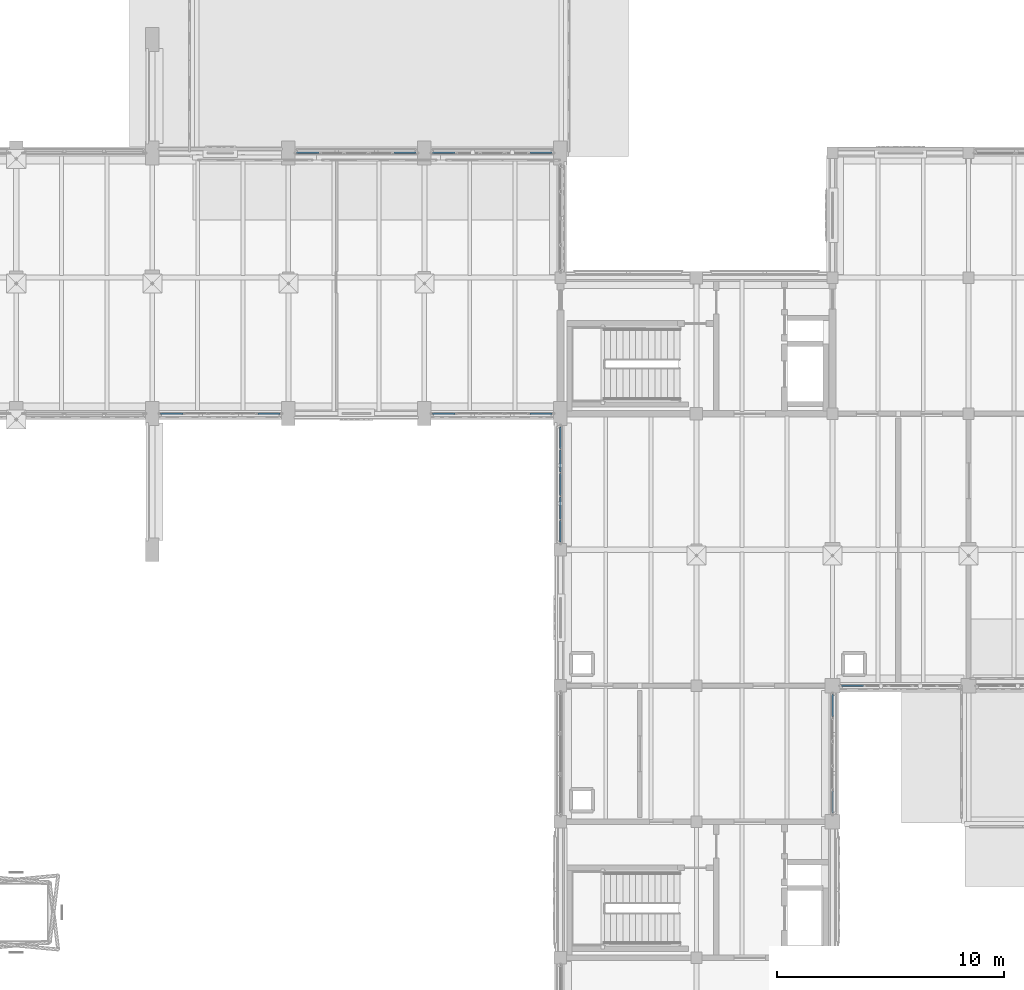
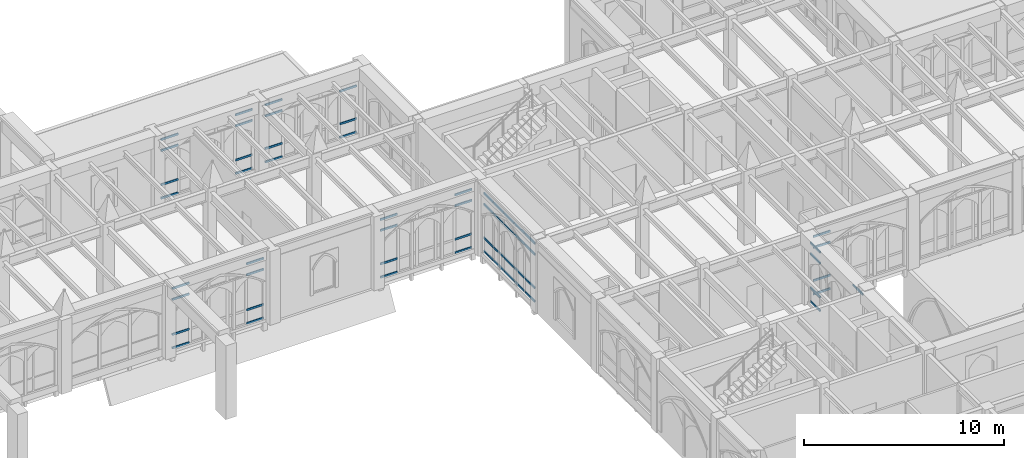
# One storey, part 82 of 143: 60 members, 7 elements without a shape of their own.
"""IFC4 building model written with IfcOpenShell, lengths in metres."""

from ifc_helpers import new_model, si_unit, direction, frame, origin, origin_2d, place, context, subcontext, project, spatial, hollow_rectangle, extrude, material, layer, layer_set, material_profile, profile_set, type_object, element, aggregate, save


model = new_model("IFC4")

# Units and contexts
model_context = context("Model", 3, precision=1e-05, world=origin(), true_north=direction((0.0, 1.0)))
body_context = subcontext(model_context, "Body", "Model", "MODEL_VIEW")
ifc_project = project(units=[si_unit("LENGTHUNIT", "METRE"), si_unit("AREAUNIT", "SQUARE_METRE"), si_unit("VOLUMEUNIT", "CUBIC_METRE"), si_unit("PLANEANGLEUNIT", "RADIAN"), si_unit("MASSUNIT", "GRAM", prefix="KILO")], contexts=[model_context])

# Site, building, storey
site_placement = place(None, origin())
site = spatial("IfcSite", under=ifc_project, at=site_placement, CompositionType="ELEMENT")
building_placement = place(site_placement, origin())
building = spatial("IfcBuilding", under=site, at=building_placement, Name="Cumevento Cable Car Station", CompositionType="ELEMENT")
storey_placement = place(building_placement, frame((0.0, 0.0, 9.0)))
storey = spatial("IfcBuildingStorey", under=building, at=storey_placement, Name="L03", CompositionType="ELEMENT", Elevation=9.0)

# Curtain wall, members
ifc_material_1 = material(Name="Anodised Bronze Aluminium AW-6063-T6", Category="aluminium")
ifc_layer_1 = layer(ifc_material_1, 0.159912109375)
ifc_layer_set_1 = layer_set([ifc_layer_1], Name="Anodised Bronze Aluminium AW-6063-T6")
curtain_wall_type_1 = type_object("IfcCurtainWallType", Name="Lancet Curtain Wall CW-01 1050", PredefinedType="NOTDEFINED", material=ifc_layer_set_1)
curtain_wall_1_placement = place(storey_placement, origin())
curtain_wall_1 = element("IfcCurtainWall", 1, at=curtain_wall_1_placement, inside=storey, type_object=curtain_wall_type_1, Name="Lancet Curtain Wall CW-01 L03 #112", PredefinedType="NOTDEFINED")
ifc_material_2 = material(Name="Anodised Bronze Aluminium AW-6063-T6", Category="aluminium")
ifc_material_profile = material_profile(ifc_material_2, hollow_rectangle(XDim=0.06494140625, YDim=0.1201171875, WallThickness=0.00390625, at=origin_2d()), Name="ALUT65x120x4")
ifc_profile_set = profile_set([ifc_material_profile], Name="Anodised Bronze Aluminium AW-6063-T6")
member_type = type_object("IfcMemberType", Name="Curtain Transom CWT-01 ALUT65x120x4", PredefinedType="USERDEFINED", material=ifc_profile_set)
member_1_placement = place(storey_placement, frame((105.635009765625, 45.0, 0.1923828125), z_axis=(-1.0, 0.0, 0.0), x_axis=(0.0, -1.0, 0.0)))
member_1 = element("IfcMember", 2, at=member_1_placement, type_object=member_type, Name="CW-01 transom 1.1", ObjectType="TRANSOM", PredefinedType="USERDEFINED", context=body_context, shape_type="SweptSolid", body=[
    extrude(hollow_rectangle(XDim=0.06494140625, YDim=0.1201171875, WallThickness=0.00390625, at=origin_2d()), origin(), (0.0, 0.0, 1.0), 0.982421875),
])
member_2_placement = place(storey_placement, frame((105.635009765625, 45.0, 1.010009765625), z_axis=(-1.0, 0.0, 0.0), x_axis=(0.0, -1.0, 0.0)))
member_2 = element("IfcMember", 3, at=member_2_placement, type_object=member_type, Name="CW-01 transom 1.2", ObjectType="TRANSOM", PredefinedType="USERDEFINED", context=body_context, shape_type="SweptSolid", body=[
    extrude(hollow_rectangle(XDim=0.06494140625, YDim=0.1201171875, WallThickness=0.00390625, at=origin_2d()), origin(), (0.0, 0.0, 1.0), 0.982421875),
])
member_3_placement = place(storey_placement, frame((105.635009765625, 45.0, 3.14501953125), z_axis=(-1.0, 0.0, 0.0), x_axis=(0.0, -1.0, 0.0)))
member_3 = element("IfcMember", 4, at=member_3_placement, type_object=member_type, Name="CW-01 transom 1.3", ObjectType="TRANSOM", PredefinedType="USERDEFINED", context=body_context, shape_type="SweptSolid", body=[
    extrude(hollow_rectangle(XDim=0.06494140625, YDim=0.1201171875, WallThickness=0.00390625, at=origin_2d()), origin(), (0.0, 0.0, 1.0), 0.982421875),
])
member_4_placement = place(storey_placement, frame((105.635009765625, 45.0, 3.8125), z_axis=(-1.0, 0.0, 0.0), x_axis=(0.0, -1.0, 0.0)))
member_4 = element("IfcMember", 5, at=member_4_placement, type_object=member_type, Name="CW-01 transom 1.4", ObjectType="TRANSOM", PredefinedType="USERDEFINED", context=body_context, shape_type="SweptSolid", body=[
    extrude(hollow_rectangle(XDim=0.06494140625, YDim=0.1201171875, WallThickness=0.00390625, at=origin_2d()), origin(), (0.0, 0.0, 1.0), 0.982421875),
])
member_5_placement = place(storey_placement, frame((101.347412109375, 45.0, 0.1923828125), z_axis=(-1.0, 0.0, 0.0), x_axis=(0.0, -1.0, 0.0)))
member_5 = element("IfcMember", 6, at=member_5_placement, type_object=member_type, Name="CW-01 transom 5.1", ObjectType="TRANSOM", PredefinedType="USERDEFINED", context=body_context, shape_type="SweptSolid", body=[
    extrude(hollow_rectangle(XDim=0.06494140625, YDim=0.1201171875, WallThickness=0.00390625, at=origin_2d()), origin(), (0.0, 0.0, 1.0), 0.982421875),
])
member_6_placement = place(storey_placement, frame((101.347412109375, 45.0, 1.010009765625), z_axis=(-1.0, 0.0, 0.0), x_axis=(0.0, -1.0, 0.0)))
member_6 = element("IfcMember", 7, at=member_6_placement, type_object=member_type, Name="CW-01 transom 5.2", ObjectType="TRANSOM", PredefinedType="USERDEFINED", context=body_context, shape_type="SweptSolid", body=[
    extrude(hollow_rectangle(XDim=0.06494140625, YDim=0.1201171875, WallThickness=0.00390625, at=origin_2d()), origin(), (0.0, 0.0, 1.0), 0.982421875),
])
member_7_placement = place(storey_placement, frame((101.347412109375, 45.0, 3.14501953125), z_axis=(-1.0, 0.0, 0.0), x_axis=(0.0, -1.0, 0.0)))
member_7 = element("IfcMember", 8, at=member_7_placement, type_object=member_type, Name="CW-01 transom 5.3", ObjectType="TRANSOM", PredefinedType="USERDEFINED", context=body_context, shape_type="SweptSolid", body=[
    extrude(hollow_rectangle(XDim=0.06494140625, YDim=0.1201171875, WallThickness=0.00390625, at=origin_2d()), origin(), (0.0, 0.0, 1.0), 0.982421875),
])
member_8_placement = place(storey_placement, frame((101.347412109375, 45.0, 3.8125), z_axis=(-1.0, 0.0, 0.0), x_axis=(0.0, -1.0, 0.0)))
member_8 = element("IfcMember", 9, at=member_8_placement, type_object=member_type, Name="CW-01 transom 5.4", ObjectType="TRANSOM", PredefinedType="USERDEFINED", context=body_context, shape_type="SweptSolid", body=[
    extrude(hollow_rectangle(XDim=0.06494140625, YDim=0.1201171875, WallThickness=0.00390625, at=origin_2d()), origin(), (0.0, 0.0, 1.0), 0.982421875),
])
aggregate(curtain_wall_1, [member_1, member_2, member_3, member_4, member_5, member_6, member_7, member_8])

ifc_material_3 = material(Name="Anodised Bronze Aluminium AW-6063-T6", Category="aluminium")
ifc_layer_2 = layer(ifc_material_3, 0.166015625)
ifc_layer_set_2 = layer_set([ifc_layer_2], Name="Anodised Bronze Aluminium AW-6063-T6")
curtain_wall_type_2 = type_object("IfcCurtainWallType", Name="Lancet Curtain Wall CW-02 1090", PredefinedType="NOTDEFINED", material=ifc_layer_set_2)
curtain_wall_2_placement = place(storey_placement, origin())
curtain_wall_2 = element("IfcCurtainWall", 10, at=curtain_wall_2_placement, inside=storey, type_object=curtain_wall_type_2, Name="Lancet Curtain Wall CW-02 L03 #113", PredefinedType="NOTDEFINED")
member_9_placement = place(storey_placement, frame((106.364990234375, 56.5, 0.242431640625), z_axis=(1.0, 0.0, 0.0), x_axis=(0.0, 1.0, 0.0)))
member_9 = element("IfcMember", 11, at=member_9_placement, type_object=member_type, Name="CW-02 transom 1.1", ObjectType="TRANSOM", PredefinedType="USERDEFINED", context=body_context, shape_type="SweptSolid", body=[
    extrude(hollow_rectangle(XDim=0.06494140625, YDim=0.1201171875, WallThickness=0.00390625, at=origin_2d()), origin(), (0.0, 0.0, 1.0), 0.982421875),
])
member_10_placement = place(storey_placement, frame((106.364990234375, 56.5, 1.06005859375), z_axis=(1.0, 0.0, 0.0), x_axis=(0.0, 1.0, 0.0)))
member_10 = element("IfcMember", 12, at=member_10_placement, type_object=member_type, Name="CW-02 transom 1.2", ObjectType="TRANSOM", PredefinedType="USERDEFINED", context=body_context, shape_type="SweptSolid", body=[
    extrude(hollow_rectangle(XDim=0.06494140625, YDim=0.1201171875, WallThickness=0.00390625, at=origin_2d()), origin(), (0.0, 0.0, 1.0), 0.982421875),
])
member_11_placement = place(storey_placement, frame((106.364990234375, 56.5, 3.14501953125), z_axis=(1.0, 0.0, 0.0), x_axis=(0.0, 1.0, 0.0)))
member_11 = element("IfcMember", 13, at=member_11_placement, type_object=member_type, Name="CW-02 transom 1.3", ObjectType="TRANSOM", PredefinedType="USERDEFINED", context=body_context, shape_type="SweptSolid", body=[
    extrude(hollow_rectangle(XDim=0.06494140625, YDim=0.1201171875, WallThickness=0.00390625, at=origin_2d()), origin(), (0.0, 0.0, 1.0), 0.982421875),
])
member_12_placement = place(storey_placement, frame((106.364990234375, 56.5, 3.8125), z_axis=(1.0, 0.0, 0.0), x_axis=(0.0, 1.0, 0.0)))
member_12 = element("IfcMember", 14, at=member_12_placement, type_object=member_type, Name="CW-02 transom 1.4", ObjectType="TRANSOM", PredefinedType="USERDEFINED", context=body_context, shape_type="SweptSolid", body=[
    extrude(hollow_rectangle(XDim=0.06494140625, YDim=0.1201171875, WallThickness=0.00390625, at=origin_2d()), origin(), (0.0, 0.0, 1.0), 0.982421875),
])
member_13_placement = place(storey_placement, frame((110.652587890625, 56.5, 0.242431640625), z_axis=(1.0, 0.0, 0.0), x_axis=(0.0, 1.0, 0.0)))
member_13 = element("IfcMember", 15, at=member_13_placement, type_object=member_type, Name="CW-02 transom 5.1", ObjectType="TRANSOM", PredefinedType="USERDEFINED", context=body_context, shape_type="SweptSolid", body=[
    extrude(hollow_rectangle(XDim=0.06494140625, YDim=0.1201171875, WallThickness=0.00390625, at=origin_2d()), origin(), (0.0, 0.0, 1.0), 0.982421875),
])
member_14_placement = place(storey_placement, frame((110.652587890625, 56.5, 1.06005859375), z_axis=(1.0, 0.0, 0.0), x_axis=(0.0, 1.0, 0.0)))
member_14 = element("IfcMember", 16, at=member_14_placement, type_object=member_type, Name="CW-02 transom 5.2", ObjectType="TRANSOM", PredefinedType="USERDEFINED", context=body_context, shape_type="SweptSolid", body=[
    extrude(hollow_rectangle(XDim=0.06494140625, YDim=0.1201171875, WallThickness=0.00390625, at=origin_2d()), origin(), (0.0, 0.0, 1.0), 0.982421875),
])
member_15_placement = place(storey_placement, frame((110.652587890625, 56.5, 3.14501953125), z_axis=(1.0, 0.0, 0.0), x_axis=(0.0, 1.0, 0.0)))
member_15 = element("IfcMember", 17, at=member_15_placement, type_object=member_type, Name="CW-02 transom 5.3", ObjectType="TRANSOM", PredefinedType="USERDEFINED", context=body_context, shape_type="SweptSolid", body=[
    extrude(hollow_rectangle(XDim=0.06494140625, YDim=0.1201171875, WallThickness=0.00390625, at=origin_2d()), origin(), (0.0, 0.0, 1.0), 0.982421875),
])
member_16_placement = place(storey_placement, frame((110.652587890625, 56.5, 3.8125), z_axis=(1.0, 0.0, 0.0), x_axis=(0.0, 1.0, 0.0)))
member_16 = element("IfcMember", 18, at=member_16_placement, type_object=member_type, Name="CW-02 transom 5.4", ObjectType="TRANSOM", PredefinedType="USERDEFINED", context=body_context, shape_type="SweptSolid", body=[
    extrude(hollow_rectangle(XDim=0.06494140625, YDim=0.1201171875, WallThickness=0.00390625, at=origin_2d()), origin(), (0.0, 0.0, 1.0), 0.982421875),
])
aggregate(curtain_wall_2, [member_9, member_10, member_11, member_12, member_13, member_14, member_15, member_16])

ifc_material_4 = material(Name="Anodised Bronze Aluminium AW-6063-T6", Category="aluminium")
ifc_layer_3 = layer(ifc_material_4, 0.172119140625)
ifc_layer_set_3 = layer_set([ifc_layer_3], Name="Anodised Bronze Aluminium AW-6063-T6")
curtain_wall_type_3 = type_object("IfcCurtainWallType", Name="Lancet Curtain Wall CW-03 1130", PredefinedType="NOTDEFINED", material=ifc_layer_set_3)
curtain_wall_3_placement = place(storey_placement, origin())
curtain_wall_3 = element("IfcCurtainWall", 19, at=curtain_wall_3_placement, inside=storey, type_object=curtain_wall_type_3, Name="Lancet Curtain Wall CW-03 L03 #114", PredefinedType="NOTDEFINED")
member_17_placement = place(storey_placement, frame((117.635009765625, 45.0, 0.29248046875), z_axis=(-1.0, 0.0, 0.0), x_axis=(0.0, -1.0, 0.0)))
member_17 = element("IfcMember", 20, at=member_17_placement, type_object=member_type, Name="CW-03 transom 1.1", ObjectType="TRANSOM", PredefinedType="USERDEFINED", context=body_context, shape_type="SweptSolid", body=[
    extrude(hollow_rectangle(XDim=0.06494140625, YDim=0.1201171875, WallThickness=0.00390625, at=origin_2d()), origin(), (0.0, 0.0, 1.0), 0.982421875),
])
member_18_placement = place(storey_placement, frame((117.635009765625, 45.0, 1.110107421875), z_axis=(-1.0, 0.0, 0.0), x_axis=(0.0, -1.0, 0.0)))
member_18 = element("IfcMember", 21, at=member_18_placement, type_object=member_type, Name="CW-03 transom 1.2", ObjectType="TRANSOM", PredefinedType="USERDEFINED", context=body_context, shape_type="SweptSolid", body=[
    extrude(hollow_rectangle(XDim=0.06494140625, YDim=0.1201171875, WallThickness=0.00390625, at=origin_2d()), origin(), (0.0, 0.0, 1.0), 0.982421875),
])
member_19_placement = place(storey_placement, frame((117.635009765625, 45.0, 3.14501953125), z_axis=(-1.0, 0.0, 0.0), x_axis=(0.0, -1.0, 0.0)))
member_19 = element("IfcMember", 22, at=member_19_placement, type_object=member_type, Name="CW-03 transom 1.3", ObjectType="TRANSOM", PredefinedType="USERDEFINED", context=body_context, shape_type="SweptSolid", body=[
    extrude(hollow_rectangle(XDim=0.06494140625, YDim=0.1201171875, WallThickness=0.00390625, at=origin_2d()), origin(), (0.0, 0.0, 1.0), 0.982421875),
])
member_20_placement = place(storey_placement, frame((117.635009765625, 45.0, 3.8125), z_axis=(-1.0, 0.0, 0.0), x_axis=(0.0, -1.0, 0.0)))
member_20 = element("IfcMember", 23, at=member_20_placement, type_object=member_type, Name="CW-03 transom 1.4", ObjectType="TRANSOM", PredefinedType="USERDEFINED", context=body_context, shape_type="SweptSolid", body=[
    extrude(hollow_rectangle(XDim=0.06494140625, YDim=0.1201171875, WallThickness=0.00390625, at=origin_2d()), origin(), (0.0, 0.0, 1.0), 0.982421875),
])
member_21_placement = place(storey_placement, frame((113.347412109375, 45.0, 0.29248046875), z_axis=(-1.0, 0.0, 0.0), x_axis=(0.0, -1.0, 0.0)))
member_21 = element("IfcMember", 24, at=member_21_placement, type_object=member_type, Name="CW-03 transom 5.1", ObjectType="TRANSOM", PredefinedType="USERDEFINED", context=body_context, shape_type="SweptSolid", body=[
    extrude(hollow_rectangle(XDim=0.06494140625, YDim=0.1201171875, WallThickness=0.00390625, at=origin_2d()), origin(), (0.0, 0.0, 1.0), 0.982421875),
])
member_22_placement = place(storey_placement, frame((113.347412109375, 45.0, 1.110107421875), z_axis=(-1.0, 0.0, 0.0), x_axis=(0.0, -1.0, 0.0)))
member_22 = element("IfcMember", 25, at=member_22_placement, type_object=member_type, Name="CW-03 transom 5.2", ObjectType="TRANSOM", PredefinedType="USERDEFINED", context=body_context, shape_type="SweptSolid", body=[
    extrude(hollow_rectangle(XDim=0.06494140625, YDim=0.1201171875, WallThickness=0.00390625, at=origin_2d()), origin(), (0.0, 0.0, 1.0), 0.982421875),
])
member_23_placement = place(storey_placement, frame((113.347412109375, 45.0, 3.14501953125), z_axis=(-1.0, 0.0, 0.0), x_axis=(0.0, -1.0, 0.0)))
member_23 = element("IfcMember", 26, at=member_23_placement, type_object=member_type, Name="CW-03 transom 5.3", ObjectType="TRANSOM", PredefinedType="USERDEFINED", context=body_context, shape_type="SweptSolid", body=[
    extrude(hollow_rectangle(XDim=0.06494140625, YDim=0.1201171875, WallThickness=0.00390625, at=origin_2d()), origin(), (0.0, 0.0, 1.0), 0.982421875),
])
member_24_placement = place(storey_placement, frame((113.347412109375, 45.0, 3.8125), z_axis=(-1.0, 0.0, 0.0), x_axis=(0.0, -1.0, 0.0)))
member_24 = element("IfcMember", 27, at=member_24_placement, type_object=member_type, Name="CW-03 transom 5.4", ObjectType="TRANSOM", PredefinedType="USERDEFINED", context=body_context, shape_type="SweptSolid", body=[
    extrude(hollow_rectangle(XDim=0.06494140625, YDim=0.1201171875, WallThickness=0.00390625, at=origin_2d()), origin(), (0.0, 0.0, 1.0), 0.982421875),
])
aggregate(curtain_wall_3, [member_17, member_18, member_19, member_20, member_21, member_22, member_23, member_24])

ifc_material_5 = material(Name="Anodised Bronze Aluminium AW-6063-T6", Category="aluminium")
ifc_layer_4 = layer(ifc_material_5, 0.177978515625)
ifc_layer_set_4 = layer_set([ifc_layer_4], Name="Anodised Bronze Aluminium AW-6063-T6")
curtain_wall_type_4 = type_object("IfcCurtainWallType", Name="Lancet Curtain Wall CW-04 1170", PredefinedType="NOTDEFINED", material=ifc_layer_set_4)
curtain_wall_4_placement = place(storey_placement, origin())
curtain_wall_4 = element("IfcCurtainWall", 28, at=curtain_wall_4_placement, inside=storey, type_object=curtain_wall_type_4, Name="Lancet Curtain Wall CW-04 L03 #115", PredefinedType="NOTDEFINED")
member_25_placement = place(storey_placement, frame((112.364990234375, 56.5, 0.342529296875), z_axis=(1.0, 0.0, 0.0), x_axis=(0.0, 1.0, 0.0)))
member_25 = element("IfcMember", 29, at=member_25_placement, type_object=member_type, Name="CW-04 transom 1.1", ObjectType="TRANSOM", PredefinedType="USERDEFINED", context=body_context, shape_type="SweptSolid", body=[
    extrude(hollow_rectangle(XDim=0.06494140625, YDim=0.1201171875, WallThickness=0.00390625, at=origin_2d()), origin(), (0.0, 0.0, 1.0), 0.982421875),
])
member_26_placement = place(storey_placement, frame((112.364990234375, 56.5, 1.159912109375), z_axis=(1.0, 0.0, 0.0), x_axis=(0.0, 1.0, 0.0)))
member_26 = element("IfcMember", 30, at=member_26_placement, type_object=member_type, Name="CW-04 transom 1.2", ObjectType="TRANSOM", PredefinedType="USERDEFINED", context=body_context, shape_type="SweptSolid", body=[
    extrude(hollow_rectangle(XDim=0.06494140625, YDim=0.1201171875, WallThickness=0.00390625, at=origin_2d()), origin(), (0.0, 0.0, 1.0), 0.982421875),
])
member_27_placement = place(storey_placement, frame((112.364990234375, 56.5, 3.14501953125), z_axis=(1.0, 0.0, 0.0), x_axis=(0.0, 1.0, 0.0)))
member_27 = element("IfcMember", 31, at=member_27_placement, type_object=member_type, Name="CW-04 transom 1.3", ObjectType="TRANSOM", PredefinedType="USERDEFINED", context=body_context, shape_type="SweptSolid", body=[
    extrude(hollow_rectangle(XDim=0.06494140625, YDim=0.1201171875, WallThickness=0.00390625, at=origin_2d()), origin(), (0.0, 0.0, 1.0), 0.982421875),
])
member_28_placement = place(storey_placement, frame((112.364990234375, 56.5, 3.8125), z_axis=(1.0, 0.0, 0.0), x_axis=(0.0, 1.0, 0.0)))
member_28 = element("IfcMember", 32, at=member_28_placement, type_object=member_type, Name="CW-04 transom 1.4", ObjectType="TRANSOM", PredefinedType="USERDEFINED", context=body_context, shape_type="SweptSolid", body=[
    extrude(hollow_rectangle(XDim=0.06494140625, YDim=0.1201171875, WallThickness=0.00390625, at=origin_2d()), origin(), (0.0, 0.0, 1.0), 0.982421875),
])
member_29_placement = place(storey_placement, frame((116.652587890625, 56.5, 0.342529296875), z_axis=(1.0, 0.0, 0.0), x_axis=(0.0, 1.0, 0.0)))
member_29 = element("IfcMember", 33, at=member_29_placement, type_object=member_type, Name="CW-04 transom 5.1", ObjectType="TRANSOM", PredefinedType="USERDEFINED", context=body_context, shape_type="SweptSolid", body=[
    extrude(hollow_rectangle(XDim=0.06494140625, YDim=0.1201171875, WallThickness=0.00390625, at=origin_2d()), origin(), (0.0, 0.0, 1.0), 0.982421875),
])
member_30_placement = place(storey_placement, frame((116.652587890625, 56.5, 1.159912109375), z_axis=(1.0, 0.0, 0.0), x_axis=(0.0, 1.0, 0.0)))
member_30 = element("IfcMember", 34, at=member_30_placement, type_object=member_type, Name="CW-04 transom 5.2", ObjectType="TRANSOM", PredefinedType="USERDEFINED", context=body_context, shape_type="SweptSolid", body=[
    extrude(hollow_rectangle(XDim=0.06494140625, YDim=0.1201171875, WallThickness=0.00390625, at=origin_2d()), origin(), (0.0, 0.0, 1.0), 0.982421875),
])
member_31_placement = place(storey_placement, frame((116.652587890625, 56.5, 3.14501953125), z_axis=(1.0, 0.0, 0.0), x_axis=(0.0, 1.0, 0.0)))
member_31 = element("IfcMember", 35, at=member_31_placement, type_object=member_type, Name="CW-04 transom 5.3", ObjectType="TRANSOM", PredefinedType="USERDEFINED", context=body_context, shape_type="SweptSolid", body=[
    extrude(hollow_rectangle(XDim=0.06494140625, YDim=0.1201171875, WallThickness=0.00390625, at=origin_2d()), origin(), (0.0, 0.0, 1.0), 0.982421875),
])
aggregate(curtain_wall_4, [member_25, member_26, member_27, member_28, member_29, member_30, member_31])

curtain_wall_5_placement = place(storey_placement, origin())
curtain_wall_5 = element("IfcCurtainWall", 36, at=curtain_wall_5_placement, inside=storey, type_object=curtain_wall_type_1, Name="Lancet Curtain Wall CW-01 L03 #128", PredefinedType="NOTDEFINED")
member_32_placement = place(storey_placement, frame((130.0, 32.610107421875, 0.1923828125), z_axis=(0.0, -1.0, 0.0), x_axis=(1.0, 0.0, 0.0)))
member_32 = element("IfcMember", 37, at=member_32_placement, type_object=member_type, Name="CW-01 transom 1.1", ObjectType="TRANSOM", PredefinedType="USERDEFINED", context=body_context, shape_type="SweptSolid", body=[
    extrude(hollow_rectangle(XDim=0.06494140625, YDim=0.1201171875, WallThickness=0.00390625, at=origin_2d()), origin(), (0.0, 0.0, 1.0), 0.97265625),
])
member_33_placement = place(storey_placement, frame((130.0, 32.610107421875, 1.010009765625), z_axis=(0.0, -1.0, 0.0), x_axis=(1.0, 0.0, 0.0)))
member_33 = element("IfcMember", 38, at=member_33_placement, type_object=member_type, Name="CW-01 transom 1.2", ObjectType="TRANSOM", PredefinedType="USERDEFINED", context=body_context, shape_type="SweptSolid", body=[
    extrude(hollow_rectangle(XDim=0.06494140625, YDim=0.1201171875, WallThickness=0.00390625, at=origin_2d()), origin(), (0.0, 0.0, 1.0), 0.97265625),
])
member_34_placement = place(storey_placement, frame((130.0, 32.610107421875, 3.077880859375), z_axis=(0.0, -1.0, 0.0), x_axis=(1.0, 0.0, 0.0)))
member_34 = element("IfcMember", 39, at=member_34_placement, type_object=member_type, Name="CW-01 transom 1.3", ObjectType="TRANSOM", PredefinedType="USERDEFINED", context=body_context, shape_type="SweptSolid", body=[
    extrude(hollow_rectangle(XDim=0.06494140625, YDim=0.1201171875, WallThickness=0.00390625, at=origin_2d()), origin(), (0.0, 0.0, 1.0), 0.97265625),
])
member_35_placement = place(storey_placement, frame((130.0, 32.610107421875, 3.74560546875), z_axis=(0.0, -1.0, 0.0), x_axis=(1.0, 0.0, 0.0)))
member_35 = element("IfcMember", 40, at=member_35_placement, type_object=member_type, Name="CW-01 transom 1.4", ObjectType="TRANSOM", PredefinedType="USERDEFINED", context=body_context, shape_type="SweptSolid", body=[
    extrude(hollow_rectangle(XDim=0.06494140625, YDim=0.1201171875, WallThickness=0.00390625, at=origin_2d()), origin(), (0.0, 0.0, 1.0), 0.97265625),
])
member_36_placement = place(storey_placement, frame((130.0, 28.362548828125, 3.74560546875), z_axis=(0.0, -1.0, 0.0), x_axis=(1.0, 0.0, 0.0)))
member_36 = element("IfcMember", 41, at=member_36_placement, type_object=member_type, Name="CW-01 transom 5.4", ObjectType="TRANSOM", PredefinedType="USERDEFINED", context=body_context, shape_type="SweptSolid", body=[
    extrude(hollow_rectangle(XDim=0.06494140625, YDim=0.1201171875, WallThickness=0.00390625, at=origin_2d()), origin(), (0.0, 0.0, 1.0), 0.97265625),
])
aggregate(curtain_wall_5, [member_32, member_33, member_34, member_35, member_36])

curtain_wall_6_placement = place(storey_placement, origin())
curtain_wall_6 = element("IfcCurtainWall", 42, at=curtain_wall_6_placement, inside=storey, type_object=curtain_wall_type_2, Name="Lancet Curtain Wall CW-02 L03 #129", PredefinedType="NOTDEFINED")
member_37_placement = place(storey_placement, frame((131.362548828125, 33.0, 0.242431640625), z_axis=(-1.0, 0.0, 0.0), x_axis=(0.0, -1.0, 0.0)))
member_37 = element("IfcMember", 43, at=member_37_placement, type_object=member_type, Name="CW-02 transom 5.1", ObjectType="TRANSOM", PredefinedType="USERDEFINED", context=body_context, shape_type="SweptSolid", body=[
    extrude(hollow_rectangle(XDim=0.06494140625, YDim=0.1201171875, WallThickness=0.00390625, at=origin_2d()), origin(), (0.0, 0.0, 1.0), 0.97265625),
])
member_38_placement = place(storey_placement, frame((131.362548828125, 33.0, 1.06005859375), z_axis=(-1.0, 0.0, 0.0), x_axis=(0.0, -1.0, 0.0)))
member_38 = element("IfcMember", 44, at=member_38_placement, type_object=member_type, Name="CW-02 transom 5.2", ObjectType="TRANSOM", PredefinedType="USERDEFINED", context=body_context, shape_type="SweptSolid", body=[
    extrude(hollow_rectangle(XDim=0.06494140625, YDim=0.1201171875, WallThickness=0.00390625, at=origin_2d()), origin(), (0.0, 0.0, 1.0), 0.97265625),
])
member_39_placement = place(storey_placement, frame((131.362548828125, 33.0, 3.077880859375), z_axis=(-1.0, 0.0, 0.0), x_axis=(0.0, -1.0, 0.0)))
member_39 = element("IfcMember", 45, at=member_39_placement, type_object=member_type, Name="CW-02 transom 5.3", ObjectType="TRANSOM", PredefinedType="USERDEFINED", context=body_context, shape_type="SweptSolid", body=[
    extrude(hollow_rectangle(XDim=0.06494140625, YDim=0.1201171875, WallThickness=0.00390625, at=origin_2d()), origin(), (0.0, 0.0, 1.0), 0.97265625),
])
member_40_placement = place(storey_placement, frame((131.362548828125, 33.0, 3.74560546875), z_axis=(-1.0, 0.0, 0.0), x_axis=(0.0, -1.0, 0.0)))
member_40 = element("IfcMember", 46, at=member_40_placement, type_object=member_type, Name="CW-02 transom 5.4", ObjectType="TRANSOM", PredefinedType="USERDEFINED", context=body_context, shape_type="SweptSolid", body=[
    extrude(hollow_rectangle(XDim=0.06494140625, YDim=0.1201171875, WallThickness=0.00390625, at=origin_2d()), origin(), (0.0, 0.0, 1.0), 0.97265625),
])
aggregate(curtain_wall_6, [member_37, member_38, member_39, member_40])

curtain_wall_7_placement = place(storey_placement, origin())
curtain_wall_7 = element("IfcCurtainWall", 47, at=curtain_wall_7_placement, inside=storey, type_object=curtain_wall_type_3, Name="Lancet Curtain Wall CW-03 L03 #130", PredefinedType="NOTDEFINED")
member_41_placement = place(storey_placement, frame((118.0, 39.340087890625, 0.29248046875), z_axis=(0.0, 1.0, 0.0), x_axis=(-1.0, 0.0, 0.0)))
member_41 = element("IfcMember", 48, at=member_41_placement, type_object=member_type, Name="CW-03 transom 1.1", ObjectType="TRANSOM", PredefinedType="USERDEFINED", context=body_context, shape_type="SweptSolid", body=[
    extrude(hollow_rectangle(XDim=0.06494140625, YDim=0.1201171875, WallThickness=0.00390625, at=origin_2d()), origin(), (0.0, 0.0, 1.0), 0.9423828125),
])
member_42_placement = place(storey_placement, frame((118.0, 39.340087890625, 1.110107421875), z_axis=(0.0, 1.0, 0.0), x_axis=(-1.0, 0.0, 0.0)))
member_42 = element("IfcMember", 49, at=member_42_placement, type_object=member_type, Name="CW-03 transom 1.2", ObjectType="TRANSOM", PredefinedType="USERDEFINED", context=body_context, shape_type="SweptSolid", body=[
    extrude(hollow_rectangle(XDim=0.06494140625, YDim=0.1201171875, WallThickness=0.00390625, at=origin_2d()), origin(), (0.0, 0.0, 1.0), 0.9423828125),
])
member_43_placement = place(storey_placement, frame((118.0, 39.340087890625, 3.14501953125), z_axis=(0.0, 1.0, 0.0), x_axis=(-1.0, 0.0, 0.0)))
member_43 = element("IfcMember", 50, at=member_43_placement, type_object=member_type, Name="CW-03 transom 1.3", ObjectType="TRANSOM", PredefinedType="USERDEFINED", context=body_context, shape_type="SweptSolid", body=[
    extrude(hollow_rectangle(XDim=0.06494140625, YDim=0.1201171875, WallThickness=0.00390625, at=origin_2d()), origin(), (0.0, 0.0, 1.0), 0.9423828125),
])
member_44_placement = place(storey_placement, frame((118.0, 39.340087890625, 3.8125), z_axis=(0.0, 1.0, 0.0), x_axis=(-1.0, 0.0, 0.0)))
member_44 = element("IfcMember", 51, at=member_44_placement, type_object=member_type, Name="CW-03 transom 1.4", ObjectType="TRANSOM", PredefinedType="USERDEFINED", context=body_context, shape_type="SweptSolid", body=[
    extrude(hollow_rectangle(XDim=0.06494140625, YDim=0.1201171875, WallThickness=0.00390625, at=origin_2d()), origin(), (0.0, 0.0, 1.0), 0.9423828125),
])
member_45_placement = place(storey_placement, frame((118.0, 40.347412109375, 0.29248046875), z_axis=(0.0, 1.0, 0.0), x_axis=(-1.0, 0.0, 0.0)))
member_45 = element("IfcMember", 52, at=member_45_placement, type_object=member_type, Name="CW-03 transom 2.1", ObjectType="TRANSOM", PredefinedType="USERDEFINED", context=body_context, shape_type="SweptSolid", body=[
    extrude(hollow_rectangle(XDim=0.06494140625, YDim=0.1201171875, WallThickness=0.00390625, at=origin_2d()), origin(), (0.0, 0.0, 1.0), 0.97509765625),
])
member_46_placement = place(storey_placement, frame((118.0, 40.347412109375, 1.110107421875), z_axis=(0.0, 1.0, 0.0), x_axis=(-1.0, 0.0, 0.0)))
member_46 = element("IfcMember", 53, at=member_46_placement, type_object=member_type, Name="CW-03 transom 2.2", ObjectType="TRANSOM", PredefinedType="USERDEFINED", context=body_context, shape_type="SweptSolid", body=[
    extrude(hollow_rectangle(XDim=0.06494140625, YDim=0.1201171875, WallThickness=0.00390625, at=origin_2d()), origin(), (0.0, 0.0, 1.0), 0.97509765625),
])
member_47_placement = place(storey_placement, frame((118.0, 40.347412109375, 3.14501953125), z_axis=(0.0, 1.0, 0.0), x_axis=(-1.0, 0.0, 0.0)))
member_47 = element("IfcMember", 54, at=member_47_placement, type_object=member_type, Name="CW-03 transom 2.3", ObjectType="TRANSOM", PredefinedType="USERDEFINED", context=body_context, shape_type="SweptSolid", body=[
    extrude(hollow_rectangle(XDim=0.06494140625, YDim=0.1201171875, WallThickness=0.00390625, at=origin_2d()), origin(), (0.0, 0.0, 1.0), 0.97509765625),
])
member_48_placement = place(storey_placement, frame((118.0, 40.347412109375, 3.8125), z_axis=(0.0, 1.0, 0.0), x_axis=(-1.0, 0.0, 0.0)))
member_48 = element("IfcMember", 55, at=member_48_placement, type_object=member_type, Name="CW-03 transom 2.4", ObjectType="TRANSOM", PredefinedType="USERDEFINED", context=body_context, shape_type="SweptSolid", body=[
    extrude(hollow_rectangle(XDim=0.06494140625, YDim=0.1201171875, WallThickness=0.00390625, at=origin_2d()), origin(), (0.0, 0.0, 1.0), 0.97509765625),
])
member_49_placement = place(storey_placement, frame((118.0, 41.387451171875, 0.29248046875), z_axis=(0.0, 1.0, 0.0), x_axis=(-1.0, 0.0, 0.0)))
member_49 = element("IfcMember", 56, at=member_49_placement, type_object=member_type, Name="CW-03 transom 3.1", ObjectType="TRANSOM", PredefinedType="USERDEFINED", context=body_context, shape_type="SweptSolid", body=[
    extrude(hollow_rectangle(XDim=0.06494140625, YDim=0.1201171875, WallThickness=0.00390625, at=origin_2d()), origin(), (0.0, 0.0, 1.0), 0.97509765625),
])
member_50_placement = place(storey_placement, frame((118.0, 41.387451171875, 1.110107421875), z_axis=(0.0, 1.0, 0.0), x_axis=(-1.0, 0.0, 0.0)))
member_50 = element("IfcMember", 57, at=member_50_placement, type_object=member_type, Name="CW-03 transom 3.2", ObjectType="TRANSOM", PredefinedType="USERDEFINED", context=body_context, shape_type="SweptSolid", body=[
    extrude(hollow_rectangle(XDim=0.06494140625, YDim=0.1201171875, WallThickness=0.00390625, at=origin_2d()), origin(), (0.0, 0.0, 1.0), 0.97509765625),
])
member_51_placement = place(storey_placement, frame((118.0, 41.387451171875, 3.14501953125), z_axis=(0.0, 1.0, 0.0), x_axis=(-1.0, 0.0, 0.0)))
member_51 = element("IfcMember", 58, at=member_51_placement, type_object=member_type, Name="CW-03 transom 3.3", ObjectType="TRANSOM", PredefinedType="USERDEFINED", context=body_context, shape_type="SweptSolid", body=[
    extrude(hollow_rectangle(XDim=0.06494140625, YDim=0.1201171875, WallThickness=0.00390625, at=origin_2d()), origin(), (0.0, 0.0, 1.0), 0.97509765625),
])
member_52_placement = place(storey_placement, frame((118.0, 41.387451171875, 3.8125), z_axis=(0.0, 1.0, 0.0), x_axis=(-1.0, 0.0, 0.0)))
member_52 = element("IfcMember", 59, at=member_52_placement, type_object=member_type, Name="CW-03 transom 3.4", ObjectType="TRANSOM", PredefinedType="USERDEFINED", context=body_context, shape_type="SweptSolid", body=[
    extrude(hollow_rectangle(XDim=0.06494140625, YDim=0.1201171875, WallThickness=0.00390625, at=origin_2d()), origin(), (0.0, 0.0, 1.0), 0.97509765625),
])
member_53_placement = place(storey_placement, frame((118.0, 42.427490234375, 0.29248046875), z_axis=(0.0, 1.0, 0.0), x_axis=(-1.0, 0.0, 0.0)))
member_53 = element("IfcMember", 60, at=member_53_placement, type_object=member_type, Name="CW-03 transom 4.1", ObjectType="TRANSOM", PredefinedType="USERDEFINED", context=body_context, shape_type="SweptSolid", body=[
    extrude(hollow_rectangle(XDim=0.06494140625, YDim=0.1201171875, WallThickness=0.00390625, at=origin_2d()), origin(), (0.0, 0.0, 1.0), 0.97509765625),
])
member_54_placement = place(storey_placement, frame((118.0, 42.427490234375, 1.110107421875), z_axis=(0.0, 1.0, 0.0), x_axis=(-1.0, 0.0, 0.0)))
member_54 = element("IfcMember", 61, at=member_54_placement, type_object=member_type, Name="CW-03 transom 4.2", ObjectType="TRANSOM", PredefinedType="USERDEFINED", context=body_context, shape_type="SweptSolid", body=[
    extrude(hollow_rectangle(XDim=0.06494140625, YDim=0.1201171875, WallThickness=0.00390625, at=origin_2d()), origin(), (0.0, 0.0, 1.0), 0.97509765625),
])
member_55_placement = place(storey_placement, frame((118.0, 42.427490234375, 3.14501953125), z_axis=(0.0, 1.0, 0.0), x_axis=(-1.0, 0.0, 0.0)))
member_55 = element("IfcMember", 62, at=member_55_placement, type_object=member_type, Name="CW-03 transom 4.3", ObjectType="TRANSOM", PredefinedType="USERDEFINED", context=body_context, shape_type="SweptSolid", body=[
    extrude(hollow_rectangle(XDim=0.06494140625, YDim=0.1201171875, WallThickness=0.00390625, at=origin_2d()), origin(), (0.0, 0.0, 1.0), 0.97509765625),
])
member_56_placement = place(storey_placement, frame((118.0, 42.427490234375, 3.8125), z_axis=(0.0, 1.0, 0.0), x_axis=(-1.0, 0.0, 0.0)))
member_56 = element("IfcMember", 63, at=member_56_placement, type_object=member_type, Name="CW-03 transom 4.4", ObjectType="TRANSOM", PredefinedType="USERDEFINED", context=body_context, shape_type="SweptSolid", body=[
    extrude(hollow_rectangle(XDim=0.06494140625, YDim=0.1201171875, WallThickness=0.00390625, at=origin_2d()), origin(), (0.0, 0.0, 1.0), 0.97509765625),
])
member_57_placement = place(storey_placement, frame((118.0, 43.467529296875, 0.29248046875), z_axis=(0.0, 1.0, 0.0), x_axis=(-1.0, 0.0, 0.0)))
member_57 = element("IfcMember", 64, at=member_57_placement, type_object=member_type, Name="CW-03 transom 5.1", ObjectType="TRANSOM", PredefinedType="USERDEFINED", context=body_context, shape_type="SweptSolid", body=[
    extrude(hollow_rectangle(XDim=0.06494140625, YDim=0.1201171875, WallThickness=0.00390625, at=origin_2d()), origin(), (0.0, 0.0, 1.0), 0.9423828125),
])
member_58_placement = place(storey_placement, frame((118.0, 43.467529296875, 1.110107421875), z_axis=(0.0, 1.0, 0.0), x_axis=(-1.0, 0.0, 0.0)))
member_58 = element("IfcMember", 65, at=member_58_placement, type_object=member_type, Name="CW-03 transom 5.2", ObjectType="TRANSOM", PredefinedType="USERDEFINED", context=body_context, shape_type="SweptSolid", body=[
    extrude(hollow_rectangle(XDim=0.06494140625, YDim=0.1201171875, WallThickness=0.00390625, at=origin_2d()), origin(), (0.0, 0.0, 1.0), 0.9423828125),
])
member_59_placement = place(storey_placement, frame((118.0, 43.467529296875, 3.14501953125), z_axis=(0.0, 1.0, 0.0), x_axis=(-1.0, 0.0, 0.0)))
member_59 = element("IfcMember", 66, at=member_59_placement, type_object=member_type, Name="CW-03 transom 5.3", ObjectType="TRANSOM", PredefinedType="USERDEFINED", context=body_context, shape_type="SweptSolid", body=[
    extrude(hollow_rectangle(XDim=0.06494140625, YDim=0.1201171875, WallThickness=0.00390625, at=origin_2d()), origin(), (0.0, 0.0, 1.0), 0.9423828125),
])
member_60_placement = place(storey_placement, frame((118.0, 43.467529296875, 3.8125), z_axis=(0.0, 1.0, 0.0), x_axis=(-1.0, 0.0, 0.0)))
member_60 = element("IfcMember", 67, at=member_60_placement, type_object=member_type, Name="CW-03 transom 5.4", ObjectType="TRANSOM", PredefinedType="USERDEFINED", context=body_context, shape_type="SweptSolid", body=[
    extrude(hollow_rectangle(XDim=0.06494140625, YDim=0.1201171875, WallThickness=0.00390625, at=origin_2d()), origin(), (0.0, 0.0, 1.0), 0.9423828125),
])
aggregate(curtain_wall_7, [member_41, member_42, member_43, member_44, member_45, member_46, member_47, member_48, member_49, member_50, member_51, member_52, member_53, member_54, member_55, member_56, member_57, member_58, member_59, member_60])

save(model, "model.ifc")
